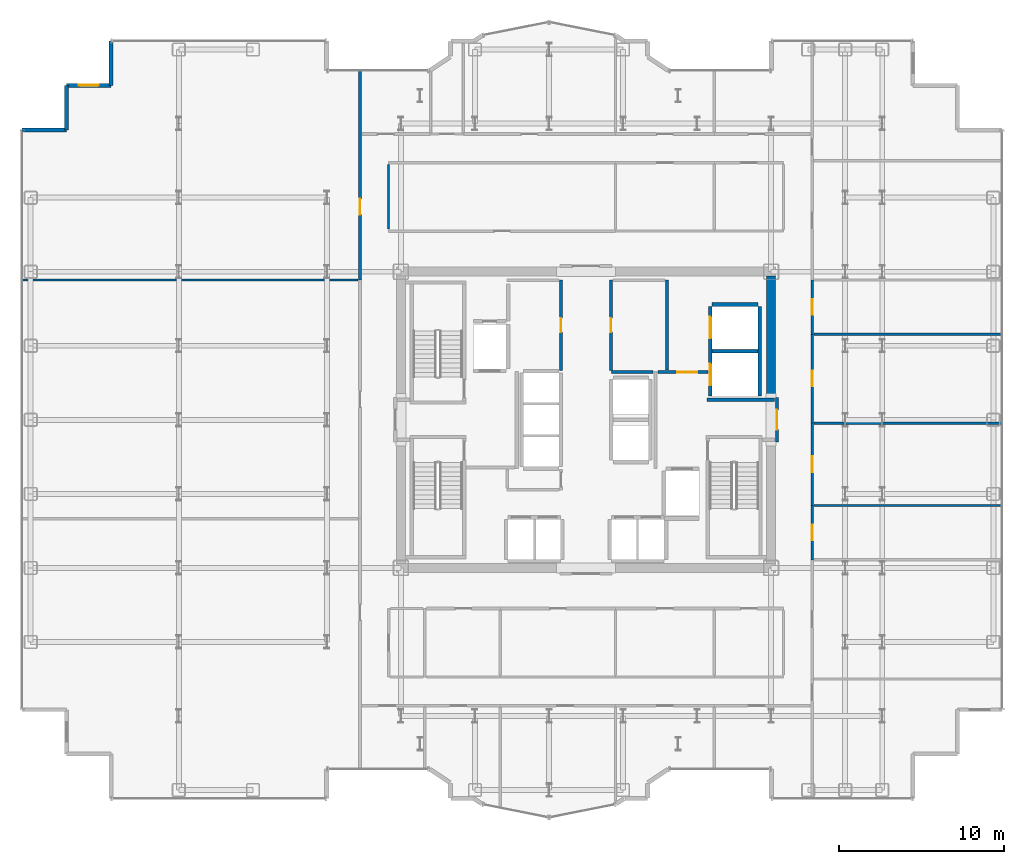
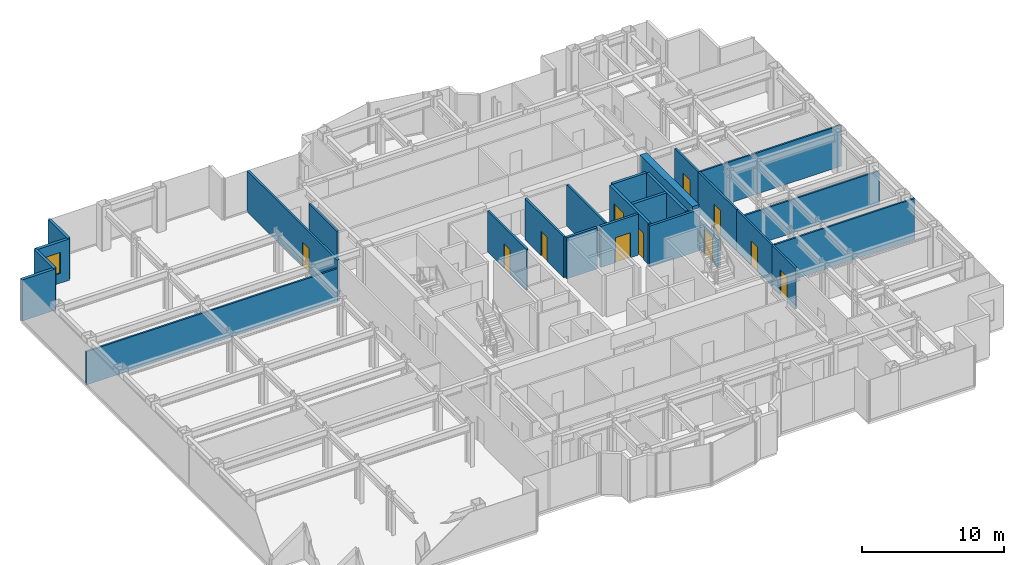
# One storey, part 20 of 23: 26 walls, 11 doors, 1 window, 12 openings.
"""IFC4 building model written with IfcOpenShell, lengths in metres."""

from ifc_helpers import new_model, si_unit, direction, frame, frame_2d, origin, place, context, subcontext, project, spatial, rectangle, extrude, source, transform, mapped, material, layer, layer_set, type_object, element, fill, save


model = new_model("IFC4")

# Units and contexts
model_context = context("Model", 3, precision=1e-05, world=origin(), true_north=direction((0.0, 1.0)))
body_context = subcontext(model_context, "Body", "Model", "MODEL_VIEW")
ifc_project = project(units=[si_unit("LENGTHUNIT", "METRE"), si_unit("AREAUNIT", "SQUARE_METRE"), si_unit("VOLUMEUNIT", "CUBIC_METRE"), si_unit("PLANEANGLEUNIT", "RADIAN"), si_unit("MASSUNIT", "GRAM", prefix="KILO")], contexts=[model_context])

# Site, building, storey
site_placement = place(None, origin())
site = spatial("IfcSite", under=ifc_project, at=site_placement, CompositionType="ELEMENT")
building_placement = place(site_placement, origin())
building = spatial("IfcBuilding", under=site, at=building_placement, Name="Nefas-Gora Pilgrimage Tower", CompositionType="ELEMENT")
storey_placement = place(building_placement, frame((0.0, 0.0, 175.39990234375)))
storey = spatial("IfcBuildingStorey", under=building, at=storey_placement, Name="L43", CompositionType="ELEMENT", Elevation=175.39990234375)

# Walls
ifc_material_1 = material(Name="Concrete C60/75", Category="concrete")
ifc_layer_1 = layer(ifc_material_1, 0.550048828125)
ifc_layer_set_1 = layer_set([ifc_layer_1], Name="Concrete C60/75")
wall_type_1 = type_object("IfcWallType", Name="SW-CORE-550", PredefinedType="SHEAR", material=ifc_layer_set_1)
shared_shape_1 = source(origin(), body_context, "Body", "SweptSolid", [
    extrude(rectangle(XDim=7.375, YDim=0.550048828125, at=frame_2d((3.6875, 0.0))), origin(), (0.0, 0.0, 1.0), 3.800048828125),
])
wall_1_placement = place(storey_placement, frame((11.25, 1.35009765625, 0.0), z_axis=(0.0, 0.0, 1.0), x_axis=(0.0, 1.0, 0.0)))
element("IfcWall", 1, at=wall_1_placement, inside=storey, type_object=wall_type_1, Name="L43 Core Shear Wall E-North", PredefinedType="SHEAR", context=body_context, shape_type="MappedRepresentation", body=[
    mapped(shared_shape_1, transform((0.0, 0.0, 0.0), x_axis=(1.0, 0.0, 0.0), y_axis=(0.0, 1.0, 0.0), z_axis=(0.0, 0.0, 1.0), scale=1.0)),
])
ifc_material_2 = material(Name="Precast concrete C45/55", Category="concrete")
ifc_layer_2 = layer(ifc_material_2, 0.239990234375)
ifc_layer_set_2 = layer_set([ifc_layer_2], Name="Precast concrete C45/55")
wall_type_2 = type_object("IfcWallType", Name="EW-SERR-240", PredefinedType="SHEAR", material=ifc_layer_set_2)
shared_shape_2 = source(origin(), body_context, "Body", "SweptSolid", [
    extrude(rectangle(XDim=2.699951171875, YDim=0.239990234375, at=frame_2d((1.35009765625, 0.0))), origin(), (0.0, 0.0, 1.0), 3.550048828125),
])
wall_2_placement = place(storey_placement, frame((-28.8701171875, 23.02001953125, 0.0), z_axis=(0.0, 0.0, 1.0), x_axis=(0.0, -1.0, 0.0)))
element("IfcWall", 2, at=wall_2_placement, inside=storey, type_object=wall_type_2, Name="L43 Serrated Corner Shear Pier Wall 20", PredefinedType="SHEAR", context=body_context, shape_type="MappedRepresentation", body=[
    mapped(shared_shape_2, transform((0.0, 0.0, 0.0), x_axis=(1.0, 0.0, 0.0), y_axis=(0.0, 1.0, 0.0), z_axis=(0.0, 0.0, 1.0), scale=1.0)),
])

# Wall, opening, window
wall_3_placement = place(storey_placement, frame((-28.8701171875, 20.320068359375, 0.0), z_axis=(0.0, 0.0, 1.0), x_axis=(-1.0, 0.0, 0.0)))
wall_3 = element("IfcWall", 3, at=wall_3_placement, inside=storey, type_object=wall_type_2, Name="L43 Serrated Corner Shear Pier Wall 21", PredefinedType="SHEAR", context=body_context, shape_type="MappedRepresentation", body=[
    mapped(shared_shape_2, transform((0.0, 0.0, 0.0), x_axis=(1.0, 0.0, 0.0), y_axis=(0.0, 1.0, 0.0), z_axis=(0.0, 0.0, 1.0), scale=1.0)),
])
opening_1_placement = place(wall_3_placement, frame((0.75, 0.0, 0.85009765625)))
opening_1 = element("IfcOpeningElement", 4, at=opening_1_placement, cuts=wall_3, Name="Opening W-V1", PredefinedType="OPENING", context=body_context, shape_type="SweptSolid", body=[
    extrude(rectangle(XDim=1.199951171875, YDim=1.800048828125, at=frame_2d((0.60009765625, 0.89990234375))), frame((0.0, 0.1298828125, 0.0), z_axis=(0.0, -1.0, 0.0), x_axis=(1.0, 0.0, 0.0)), (0.0, 0.0, 1.0), 0.260009765625),
])
ifc_material_3 = material(Name="Dark ceramic-fritted operable aluminium-glass window", Category="aluminium")
window_type = type_object("IfcWindowType", Name="WIN-VENT-1200x1800", PartitioningType="SINGLE_PANEL", PredefinedType="WINDOW", material=ifc_material_3)
shared_shape_3 = source(origin(), body_context, "Body", "SweptSolid", [
    extrude(rectangle(XDim=1.199951171875, YDim=1.800048828125, at=frame_2d((0.60009765625, 0.89990234375))), frame((0.0, 0.030029296875, 0.0), z_axis=(0.0, -1.0, 0.0), x_axis=(1.0, 0.0, 0.0)), (0.0, 0.0, 1.0), 0.06005859375),
])
window_placement = place(opening_1_placement, origin())
window = element("IfcWindow", 5, at=window_placement, inside=storey, type_object=window_type, Name="L43 Operable Parallel-Outswing Window 21", OverallHeight=1.800048828125, OverallWidth=1.199951171875, PartitioningType="SINGLE_PANEL", PredefinedType="WINDOW", context=body_context, shape_type="MappedRepresentation", body=[
    mapped(shared_shape_3, transform((0.0, 0.0, 0.0), x_axis=(1.0, 0.0, 0.0), y_axis=(0.0, 1.0, 0.0), z_axis=(0.0, 0.0, 1.0), scale=1.0)),
])
fill(opening_1, window)

# Walls
for number, where, z_axis, x_axis, name in (
    (6, (-31.570068359375, 20.320068359375, 0.0), (0.0, 0.0, 1.0), (0.0, -1.0, 0.0), "L43 Serrated Corner Shear Pier Wall 22"),
    (7, (-31.570068359375, 17.6201171875, 0.0), (0.0, 0.0, 1.0), (-1.0, 0.0, 0.0), "L43 Serrated Corner Shear Pier Wall 23"),
):
    element("IfcWall", number, at=place(storey_placement, frame(where, z_axis=z_axis, x_axis=x_axis)), inside=storey, type_object=wall_type_2, Name=name, PredefinedType="SHEAR", context=body_context, shape_type="MappedRepresentation", body=[
        mapped(shared_shape_2, transform((0.0, 0.0, 0.0), x_axis=(1.0, 0.0, 0.0), y_axis=(0.0, 1.0, 0.0), z_axis=(0.0, 0.0, 1.0), scale=1.0)),
    ])

# Wall, openings, doors
ifc_material_4 = material(Name="Concrete C40/50", Category="concrete")
ifc_layer_3 = layer(ifc_material_4, 0.219970703125)
ifc_layer_set_3 = layer_set([ifc_layer_3], Name="Concrete C40/50")
wall_type_3 = type_object("IfcWallType", Name="IW-SHAFT-220", PredefinedType="SOLIDWALL", material=ifc_layer_set_3)
shared_shape_4 = source(origin(), body_context, "Body", "SweptSolid", [
    extrude(rectangle(XDim=5.449951171875, YDim=0.219970703125, at=frame_2d((2.72509765625, 0.0))), origin(), (0.0, 0.0, 1.0), 3.53515625),
])
wall_4_placement = place(storey_placement, frame((7.5400390625, 6.89990234375, 0.0), z_axis=(0.0, 0.0, 1.0), x_axis=(0.0, -1.0, 0.0)))
wall_4 = element("IfcWall", 8, at=wall_4_placement, inside=storey, type_object=wall_type_3, Name="L43 Hoistway Wall SL-01-02-W", PredefinedType="SOLIDWALL", context=body_context, shape_type="MappedRepresentation", body=[
    mapped(shared_shape_4, transform((0.0, 0.0, 0.0), x_axis=(1.0, 0.0, 0.0), y_axis=(0.0, 1.0, 0.0), z_axis=(0.0, 0.0, 1.0), scale=1.0)),
])
opening_2_placement = place(wall_4_placement, frame((3.5, 0.0, 0.0)))
opening_2 = element("IfcOpeningElement", 9, at=opening_2_placement, cuts=wall_4, Name="Opening LD-SV", PredefinedType="OPENING", context=body_context, shape_type="SweptSolid", body=[
    extrude(rectangle(XDim=1.300048828125, YDim=2.300048828125, at=frame_2d((0.64990234375, 1.14990234375))), frame((0.0, 0.119873046875, 0.0), z_axis=(0.0, -1.0, 0.0), x_axis=(1.0, 0.0, 0.0)), (0.0, 0.0, 1.0), 0.239990234375),
])
opening_3_placement = place(wall_4_placement, frame((0.64990234375, 0.0, 0.0)))
opening_3 = element("IfcOpeningElement", 10, at=opening_3_placement, cuts=wall_4, Name="Opening LD-SV", PredefinedType="OPENING", context=body_context, shape_type="SweptSolid", body=[
    extrude(rectangle(XDim=1.300048828125, YDim=2.300048828125, at=frame_2d((0.64990234375, 1.14990234375))), frame((0.0, 0.119873046875, 0.0), z_axis=(0.0, -1.0, 0.0), x_axis=(1.0, 0.0, 0.0)), (0.0, 0.0, 1.0), 0.239990234375),
])
ifc_material_5 = material(Name="Heavy goods sliding lift landing door")
door_type_1 = type_object("IfcDoorType", Name="DR-LIFT-SERV-1300", OperationType="SLIDING_TO_RIGHT", PredefinedType="DOOR", material=ifc_material_5)
shared_shape_5 = source(origin(), body_context, "Body", "SweptSolid", [
    extrude(rectangle(XDim=1.300048828125, YDim=2.300048828125, at=frame_2d((0.64990234375, 1.14990234375))), frame((0.0, 0.02490234375, 0.0), z_axis=(0.0, -1.0, 0.0), x_axis=(1.0, 0.0, 0.0)), (0.0, 0.0, 1.0), 0.050048828125),
])
door_1_placement = place(opening_2_placement, origin())
door_1 = element("IfcDoor", 11, at=door_1_placement, inside=storey, type_object=door_type_1, Name="L43 Sliding Lift Landing Door SL-01", OperationType="SLIDING_TO_RIGHT", OverallHeight=2.300048828125, OverallWidth=1.300048828125, PredefinedType="DOOR", context=body_context, shape_type="MappedRepresentation", body=[
    mapped(shared_shape_5, transform((0.0, 0.0, 0.0), x_axis=(1.0, 0.0, 0.0), y_axis=(0.0, 1.0, 0.0), z_axis=(0.0, 0.0, 1.0), scale=1.0)),
])
fill(opening_2, door_1)
door_2_placement = place(opening_3_placement, origin())
door_2 = element("IfcDoor", 12, at=door_2_placement, inside=storey, type_object=door_type_1, Name="L43 Sliding Lift Landing Door SL-02", OperationType="SLIDING_TO_RIGHT", OverallHeight=2.300048828125, OverallWidth=1.300048828125, PredefinedType="DOOR", context=body_context, shape_type="MappedRepresentation", body=[
    mapped(shared_shape_5, transform((0.0, 0.0, 0.0), x_axis=(1.0, 0.0, 0.0), y_axis=(0.0, 1.0, 0.0), z_axis=(0.0, 0.0, 1.0), scale=1.0)),
])
fill(opening_3, door_2)

# Walls
wall_5_placement = place(storey_placement, frame((10.56005859375, 1.449951171875, 0.0), z_axis=(0.0, 0.0, 1.0), x_axis=(0.0, 1.0, 0.0)))
element("IfcWall", 13, at=wall_5_placement, inside=storey, type_object=wall_type_3, Name="L43 Hoistway Wall SL-01-02-E", PredefinedType="SOLIDWALL", context=body_context, shape_type="MappedRepresentation", body=[
    mapped(shared_shape_4, transform((0.0, 0.0, 0.0), x_axis=(1.0, 0.0, 0.0), y_axis=(0.0, 1.0, 0.0), z_axis=(0.0, 0.0, 1.0), scale=1.0)),
])
shared_shape_6 = source(origin(), body_context, "Body", "SweptSolid", [
    extrude(rectangle(XDim=2.780029296875, YDim=0.219970703125, at=frame_2d((1.39013671875, 0.0))), origin(), (0.0, 0.0, 1.0), 3.53515625),
])
for number, where, z_axis, x_axis, name in (
    (14, (7.659912109375, 4.175048828125, 0.0), (0.0, 0.0, 1.0), (1.0, 0.0, 0.0), "L43 Hoistway Wall SL-01-02-DIV"),
    (15, (10.43994140625, 7.010009765625, 0.0), (0.0, 0.0, 1.0), (-1.0, 0.0, 0.0), "L43 Hoistway Wall SL-02-N"),
):
    element("IfcWall", number, at=place(storey_placement, frame(where, z_axis=z_axis, x_axis=x_axis)), inside=storey, type_object=wall_type_3, Name=name, PredefinedType="SOLIDWALL", context=body_context, shape_type="MappedRepresentation", body=[
        mapped(shared_shape_6, transform((0.0, 0.0, 0.0), x_axis=(1.0, 0.0, 0.0), y_axis=(0.0, 1.0, 0.0), z_axis=(0.0, 0.0, 1.0), scale=1.0)),
    ])

# Wall, opening, door
ifc_material_6 = material(Name="Gypsum fire-rated shaftwall")
ifc_layer_4 = layer(ifc_material_6, 0.199951171875)
ifc_layer_set_4 = layer_set([ifc_layer_4], Name="Gypsum fire-rated shaftwall")
wall_type_4 = type_object("IfcWallType", Name="IW-FFLOB-200", PredefinedType="PARTITIONING", material=ifc_layer_set_4)
shared_shape_7 = source(origin(), body_context, "Body", "SweptSolid", [
    extrude(rectangle(XDim=2.7001953125, YDim=0.199951171875, at=frame_2d((1.35009765625, 0.0))), origin(), (0.0, 0.0, 1.0), 2.425048828125),
])
wall_6_placement = place(storey_placement, frame((11.60009765625, -1.35009765625, 0.0), z_axis=(0.0, 0.0, 1.0), x_axis=(0.0, 1.0, 0.0)))
wall_6 = element("IfcWall", 16, at=wall_6_placement, inside=storey, type_object=wall_type_4, Name="L43 FF Lobby East Portal Wall 9", PredefinedType="PARTITIONING", context=body_context, shape_type="MappedRepresentation", body=[
    mapped(shared_shape_7, transform((0.0, 0.0, 0.0), x_axis=(1.0, 0.0, 0.0), y_axis=(0.0, 1.0, 0.0), z_axis=(0.0, 0.0, 1.0), scale=1.0)),
])
opening_4_placement = place(wall_6_placement, frame((0.75, 0.0, 0.0)))
opening_4 = element("IfcOpeningElement", 17, at=opening_4_placement, cuts=wall_6, Name="Opening ID-FF1", PredefinedType="OPENING", context=body_context, shape_type="SweptSolid", body=[
    extrude(rectangle(XDim=1.199951171875, YDim=2.14990234375, at=frame_2d((0.60009765625, 1.074951171875))), frame((0.0, 0.10986328125, 0.0), z_axis=(0.0, -1.0, 0.0), x_axis=(1.0, 0.0, 0.0)), (0.0, 0.0, 1.0), 0.219970703125),
])
ifc_material_7 = material(Name="Smoke-sealed steel firefighting lobby door", Category="steel")
door_type_2 = type_object("IfcDoorType", Name="DR-INT-FFLOB-1200", OperationType="NOTDEFINED", PredefinedType="DOOR", material=ifc_material_7)
shared_shape_8 = source(origin(), body_context, "Body", "SweptSolid", [
    extrude(rectangle(XDim=1.199951171875, YDim=2.14990234375, at=frame_2d((0.60009765625, 1.074951171875))), frame((0.0, 0.02490234375, 0.0), z_axis=(0.0, -1.0, 0.0), x_axis=(1.0, 0.0, 0.0)), (0.0, 0.0, 1.0), 0.050048828125),
])
door_3_placement = place(opening_4_placement, origin())
door_3 = element("IfcDoor", 18, at=door_3_placement, inside=storey, type_object=door_type_2, Name="L43 FF Lobby East Portal Door 3", OperationType="SINGLE_SWING_RIGHT", OverallHeight=2.14990234375, OverallWidth=1.199951171875, PredefinedType="DOOR", context=body_context, shape_type="MappedRepresentation", body=[
    mapped(shared_shape_8, transform((0.0, 0.0, 0.0), x_axis=(1.0, 0.0, 0.0), y_axis=(0.0, 1.0, 0.0), z_axis=(0.0, 0.0, 1.0), scale=1.0)),
])
fill(opening_4, door_3)

shared_shape_9 = source(origin(), body_context, "Body", "SweptSolid", [
    extrude(rectangle(XDim=3.039794921875, YDim=0.199951171875, at=frame_2d((1.52001953125, 0.0))), origin(), (0.0, 0.0, 1.0), 3.53515625),
])
wall_7_placement = place(storey_placement, frame((4.360107421875, 2.89990234375, 0.0), z_axis=(0.0, 0.0, 1.0), x_axis=(1.0, 0.0, 0.0)))
wall_7 = element("IfcWall", 19, at=wall_7_placement, inside=storey, type_object=wall_type_4, Name="L43 FF Lobby East North Wall Wall 12", PredefinedType="PARTITIONING", context=body_context, shape_type="MappedRepresentation", body=[
    mapped(shared_shape_9, transform((0.0, 0.0, 0.0), x_axis=(1.0, 0.0, 0.0), y_axis=(0.0, 1.0, 0.0), z_axis=(0.0, 0.0, 1.0), scale=1.0)),
])
opening_5_placement = place(wall_7_placement, frame((1.18994140625, 0.0, 0.0)))
opening_5 = element("IfcOpeningElement", 20, at=opening_5_placement, cuts=wall_7, Name="Opening ID-PL1", PredefinedType="OPENING", context=body_context, shape_type="SweptSolid", body=[
    extrude(rectangle(XDim=1.199951171875, YDim=2.14990234375, at=frame_2d((0.60009765625, 1.074951171875))), frame((0.0, 0.10986328125, 0.0), z_axis=(0.0, -1.0, 0.0), x_axis=(1.0, 0.0, 0.0)), (0.0, 0.0, 1.0), 0.219970703125),
])
ifc_material_8 = material(Name="Heavy-duty steel plant room fire door", Category="steel")
door_type_3 = type_object("IfcDoorType", Name="DR-INT-PLANT-1200", OperationType="NOTDEFINED", PredefinedType="DOOR", material=ifc_material_8)
door_4_placement = place(opening_5_placement, origin())
door_4 = element("IfcDoor", 21, at=door_4_placement, inside=storey, type_object=door_type_3, Name="L43 Service Lift Lobby Door Door 4", OperationType="SINGLE_SWING_LEFT", OverallHeight=2.14990234375, OverallWidth=1.199951171875, PredefinedType="DOOR", context=body_context, shape_type="MappedRepresentation", body=[
    mapped(shared_shape_8, transform((0.0, 0.0, 0.0), x_axis=(1.0, 0.0, 0.0), y_axis=(0.0, 1.0, 0.0), z_axis=(0.0, 0.0, 1.0), scale=1.0)),
])
fill(opening_5, door_4)

# Wall
shared_shape_10 = source(origin(), body_context, "Body", "SweptSolid", [
    extrude(rectangle(XDim=4.10986328125, YDim=0.199951171875, at=frame_2d((2.054931640625, 0.0))), origin(), (0.0, 0.0, 1.0), 3.53515625),
])
wall_8_placement = place(storey_placement, frame((7.35009765625, 1.219970703125, 0.0), z_axis=(0.0, 0.0, 1.0), x_axis=(1.0, 0.0, 0.0)))
element("IfcWall", 22, at=wall_8_placement, inside=storey, type_object=wall_type_4, Name="L43 FF Lobby East Throat N Wall 13", PredefinedType="PARTITIONING", context=body_context, shape_type="MappedRepresentation", body=[
    mapped(shared_shape_10, transform((0.0, 0.0, 0.0), x_axis=(1.0, 0.0, 0.0), y_axis=(0.0, 1.0, 0.0), z_axis=(0.0, 0.0, 1.0), scale=1.0)),
])

# Wall, opening, door
ifc_material_9 = material(Name="Gypsum acoustic stud partition")
ifc_layer_5 = layer(ifc_material_9, 0.159912109375)
ifc_layer_set_5 = layer_set([ifc_layer_5], Name="Gypsum acoustic stud partition")
wall_type_5 = type_object("IfcWallType", Name="IW-CORR-160", PredefinedType="PARTITIONING", material=ifc_layer_set_5)
shared_shape_11 = source(origin(), body_context, "Body", "SweptSolid", [
    extrude(rectangle(XDim=12.75244140625, YDim=0.159912109375, at=frame_2d((6.376220703125, 0.0))), origin(), (0.0, 0.0, 1.0), 3.53515625),
])
wall_9_placement = place(storey_placement, frame((-13.739990234375, 8.487548828125, 0.0), z_axis=(0.0, 0.0, 1.0), x_axis=(0.0, 1.0, 0.0)))
wall_9 = element("IfcWall", 23, at=wall_9_placement, inside=storey, type_object=wall_type_5, Name="L43 Pilgrim Tea and Beverage Pantry Partition Wall 30", PredefinedType="PARTITIONING", context=body_context, shape_type="MappedRepresentation", body=[
    mapped(shared_shape_11, transform((0.0, 0.0, 0.0), x_axis=(1.0, 0.0, 0.0), y_axis=(0.0, 1.0, 0.0), z_axis=(0.0, 0.0, 1.0), scale=1.0)),
])
opening_6_placement = place(wall_9_placement, frame((3.986328125, 0.0, 0.0)))
opening_6 = element("IfcOpeningElement", 24, at=opening_6_placement, cuts=wall_9, Name="Opening ID-GR1", PredefinedType="OPENING", context=body_context, shape_type="SweptSolid", body=[
    extrude(rectangle(XDim=0.949951171875, YDim=2.10009765625, at=frame_2d((0.47509765625, 1.050048828125))), frame((0.0, 0.08984375, 0.0), z_axis=(0.0, -1.0, 0.0), x_axis=(1.0, 0.0, 0.0)), (0.0, 0.0, 1.0), 0.179931640625),
])
ifc_material_10 = material(Name="Solid core oak fire-rated guest entrance door")
door_type_4 = type_object("IfcDoorType", Name="DR-INT-GUEST-950", OperationType="NOTDEFINED", PredefinedType="DOOR", material=ifc_material_10)
shared_shape_12 = source(origin(), body_context, "Body", "SweptSolid", [
    extrude(rectangle(XDim=0.949951171875, YDim=2.10009765625, at=frame_2d((0.47509765625, 1.050048828125))), frame((0.0, 0.02490234375, 0.0), z_axis=(0.0, -1.0, 0.0), x_axis=(1.0, 0.0, 0.0)), (0.0, 0.0, 1.0), 0.050048828125),
])
door_5_placement = place(opening_6_placement, origin())
door_5 = element("IfcDoor", 25, at=door_5_placement, inside=storey, type_object=door_type_4, Name="L43 Pilgrim Tea and Beverage Pantry Door 12", OperationType="SINGLE_SWING_LEFT", OverallHeight=2.10009765625, OverallWidth=0.949951171875, PredefinedType="DOOR", context=body_context, shape_type="MappedRepresentation", body=[
    mapped(shared_shape_12, transform((0.0, 0.0, 0.0), x_axis=(1.0, 0.0, 0.0), y_axis=(0.0, 1.0, 0.0), z_axis=(0.0, 0.0, 1.0), scale=1.0)),
])
fill(opening_6, door_5)

shared_shape_13 = source(origin(), body_context, "Body", "SweptSolid", [
    extrude(rectangle(XDim=3.309814453125, YDim=0.159912109375, at=frame_2d((1.65478515625, 0.0))), origin(), (0.0, 0.0, 1.0), 3.53515625),
])
wall_10_placement = place(storey_placement, frame((13.739990234375, -8.5048828125, 0.0), z_axis=(0.0, 0.0, 1.0), x_axis=(0.0, 1.0, 0.0)))
wall_10 = element("IfcWall", 26, at=wall_10_placement, inside=storey, type_object=wall_type_5, Name="L43 Pastoral Chaplains Counselling Office Partition Wall 37", PredefinedType="PARTITIONING", context=body_context, shape_type="MappedRepresentation", body=[
    mapped(shared_shape_13, transform((0.0, 0.0, 0.0), x_axis=(1.0, 0.0, 0.0), y_axis=(0.0, 1.0, 0.0), z_axis=(0.0, 0.0, 1.0), scale=1.0)),
])
opening_7_placement = place(wall_10_placement, frame((1.179931640625, 0.0, 0.0)))
opening_7 = element("IfcOpeningElement", 27, at=opening_7_placement, cuts=wall_10, Name="Opening ID-GR1", PredefinedType="OPENING", context=body_context, shape_type="SweptSolid", body=[
    extrude(rectangle(XDim=0.949951171875, YDim=2.10009765625, at=frame_2d((0.47509765625, 1.050048828125))), frame((0.0, 0.08984375, 0.0), z_axis=(0.0, -1.0, 0.0), x_axis=(1.0, 0.0, 0.0)), (0.0, 0.0, 1.0), 0.179931640625),
])
door_6_placement = place(opening_7_placement, origin())
door_6 = element("IfcDoor", 28, at=door_6_placement, inside=storey, type_object=door_type_4, Name="L43 Pastoral Chaplains Counselling Office Door 16", OperationType="SINGLE_SWING_LEFT", OverallHeight=2.10009765625, OverallWidth=0.949951171875, PredefinedType="DOOR", context=body_context, shape_type="MappedRepresentation", body=[
    mapped(shared_shape_12, transform((0.0, 0.0, 0.0), x_axis=(1.0, 0.0, 0.0), y_axis=(0.0, 1.0, 0.0), z_axis=(0.0, 0.0, 1.0), scale=1.0)),
])
fill(opening_7, door_6)

wall_11_placement = place(storey_placement, frame((13.739990234375, 5.195068359375, 0.0), z_axis=(0.0, 0.0, 1.0), x_axis=(0.0, 1.0, 0.0)))
wall_11 = element("IfcWall", 29, at=wall_11_placement, inside=storey, type_object=wall_type_5, Name="L43 Scripture Reading Study Partition Wall 43", PredefinedType="PARTITIONING", context=body_context, shape_type="MappedRepresentation", body=[
    mapped(shared_shape_13, transform((0.0, 0.0, 0.0), x_axis=(1.0, 0.0, 0.0), y_axis=(0.0, 1.0, 0.0), z_axis=(0.0, 0.0, 1.0), scale=1.0)),
])
opening_8_placement = place(wall_11_placement, frame((1.179931640625, 0.0, 0.0)))
opening_8 = element("IfcOpeningElement", 30, at=opening_8_placement, cuts=wall_11, Name="Opening ID-GR1", PredefinedType="OPENING", context=body_context, shape_type="SweptSolid", body=[
    extrude(rectangle(XDim=0.949951171875, YDim=2.10009765625, at=frame_2d((0.47509765625, 1.050048828125))), frame((0.0, 0.08984375, 0.0), z_axis=(0.0, -1.0, 0.0), x_axis=(1.0, 0.0, 0.0)), (0.0, 0.0, 1.0), 0.179931640625),
])
door_7_placement = place(opening_8_placement, origin())
door_7 = element("IfcDoor", 31, at=door_7_placement, inside=storey, type_object=door_type_4, Name="L43 Scripture Reading Study Door 19", OperationType="SINGLE_SWING_RIGHT", OverallHeight=2.10009765625, OverallWidth=0.949951171875, PredefinedType="DOOR", context=body_context, shape_type="MappedRepresentation", body=[
    mapped(shared_shape_12, transform((0.0, 0.0, 0.0), x_axis=(1.0, 0.0, 0.0), y_axis=(0.0, 1.0, 0.0), z_axis=(0.0, 0.0, 1.0), scale=1.0)),
])
fill(opening_8, door_7)

# Walls
ifc_material_11 = material(Name="Gypsum twin-stud partition")
ifc_layer_6 = layer(ifc_material_11, 0.139892578125)
ifc_layer_set_6 = layer_set([ifc_layer_6], Name="Gypsum twin-stud partition")
wall_type_6 = type_object("IfcWallType", Name="IW-UNIT-140", PredefinedType="PARTITIONING", material=ifc_layer_set_6)
shared_shape_14 = source(origin(), body_context, "Body", "SweptSolid", [
    extrude(rectangle(XDim=20.429931640625, YDim=0.139892578125, at=frame_2d((10.21484375, 0.0))), origin(), (0.0, 0.0, 1.0), 2.875),
])
wall_12_placement = place(storey_placement, frame((-34.2900390625, 8.49755859375, 0.0), z_axis=(0.0, 0.0, 1.0), x_axis=(1.0, 0.0, 0.0)))
element("IfcWall", 32, at=wall_12_placement, inside=storey, type_object=wall_type_6, Name="L43 Pilgrim Tea and Beverage Pantry Partition Wall 31", PredefinedType="PARTITIONING", context=body_context, shape_type="MappedRepresentation", body=[
    mapped(shared_shape_14, transform((0.0, 0.0, 0.0), x_axis=(1.0, 0.0, 0.0), y_axis=(0.0, 1.0, 0.0), z_axis=(0.0, 0.0, 1.0), scale=1.0)),
])
shared_shape_15 = source(origin(), body_context, "Body", "SweptSolid", [
    extrude(rectangle(XDim=11.429931640625, YDim=0.139892578125, at=frame_2d((5.71484375, 0.0))), origin(), (0.0, 0.0, 1.0), 2.875),
])
wall_13_placement = place(storey_placement, frame((13.860107421875, -0.205078125, 0.0), z_axis=(0.0, 0.0, 1.0), x_axis=(1.0, 0.0, 0.0)))
element("IfcWall", 33, at=wall_13_placement, inside=storey, type_object=wall_type_6, Name="L43 Pilgrim Contemplative Lounge Partition Wall 40", PredefinedType="PARTITIONING", context=body_context, shape_type="MappedRepresentation", body=[
    mapped(shared_shape_15, transform((0.0, 0.0, 0.0), x_axis=(1.0, 0.0, 0.0), y_axis=(0.0, 1.0, 0.0), z_axis=(0.0, 0.0, 1.0), scale=1.0)),
])
shared_shape_16 = source(origin(), body_context, "Body", "SweptSolid", [
    extrude(rectangle(XDim=2.52001953125, YDim=0.199951171875, at=frame_2d((1.260009765625, 0.0))), origin(), (0.0, 0.0, 1.0), 3.53515625),
])
wall_14_placement = place(storey_placement, frame((1.56005859375, 2.89990234375, 0.0), z_axis=(0.0, 0.0, 1.0), x_axis=(1.0, 0.0, 0.0)))
element("IfcWall", 34, at=wall_14_placement, inside=storey, type_object=wall_type_4, Name="L43 FF Lobby East North Wall Wall 11", PredefinedType="PARTITIONING", context=body_context, shape_type="MappedRepresentation", body=[
    mapped(shared_shape_16, transform((0.0, 0.0, 0.0), x_axis=(1.0, 0.0, 0.0), y_axis=(0.0, 1.0, 0.0), z_axis=(0.0, 0.0, 1.0), scale=1.0)),
])
shared_shape_17 = source(origin(), body_context, "Body", "SweptSolid", [
    extrude(rectangle(XDim=5.449951171875, YDim=0.159912109375, at=frame_2d((2.72509765625, 0.0))), origin(), (0.0, 0.0, 1.0), 3.53515625),
])
wall_15_placement = place(storey_placement, frame((4.919921875, 3.0400390625, 0.0), z_axis=(0.0, 0.0, 1.0), x_axis=(0.0, 1.0, 0.0)))
element("IfcWall", 35, at=wall_15_placement, inside=storey, type_object=wall_type_5, Name="L43 Service Lift Lobby West Wall Wall 17", PredefinedType="PARTITIONING", context=body_context, shape_type="MappedRepresentation", body=[
    mapped(shared_shape_17, transform((0.0, 0.0, 0.0), x_axis=(1.0, 0.0, 0.0), y_axis=(0.0, 1.0, 0.0), z_axis=(0.0, 0.0, 1.0), scale=1.0)),
])
shared_shape_18 = source(origin(), body_context, "Body", "SweptSolid", [
    extrude(rectangle(XDim=11.429931640625, YDim=0.139892578125, at=frame_2d((5.71484375, 0.0))), origin(), (0.0, 0.0, 1.0), 3.53515625),
])
for number, where, z_axis, x_axis, name in (
    (36, (13.860107421875, -5.205078125, 0.0), (0.0, 0.0, 1.0), (1.0, 0.0, 0.0), "L43 Pastoral Chaplains Counselling Office Partition Wall 38"),
    (37, (13.860107421875, 5.195068359375, 0.0), (0.0, 0.0, 1.0), (1.0, 0.0, 0.0), "L43 Pilgrim Contemplative Lounge Partition Wall 42"),
):
    element("IfcWall", number, at=place(storey_placement, frame(where, z_axis=z_axis, x_axis=x_axis)), inside=storey, type_object=wall_type_6, Name=name, PredefinedType="PARTITIONING", context=body_context, shape_type="MappedRepresentation", body=[
        mapped(shared_shape_18, transform((0.0, 0.0, 0.0), x_axis=(1.0, 0.0, 0.0), y_axis=(0.0, 1.0, 0.0), z_axis=(0.0, 0.0, 1.0), scale=1.0)),
    ])
shared_shape_19 = source(origin(), body_context, "Body", "SweptSolid", [
    extrude(rectangle(XDim=3.929931640625, YDim=0.139892578125, at=frame_2d((1.96484375, 0.0))), origin(), (0.0, 0.0, 1.0), 3.53515625),
])
wall_16_placement = place(storey_placement, frame((-12.0, 11.590087890625, 0.0), z_axis=(0.0, 0.0, 1.0), x_axis=(0.0, 1.0, 0.0)))
element("IfcWall", 38, at=wall_16_placement, inside=storey, type_object=wall_type_6, Name="L43 Pilgrim Contemplative Lounge Partition Wall 50", PredefinedType="PARTITIONING", context=body_context, shape_type="MappedRepresentation", body=[
    mapped(shared_shape_19, transform((0.0, 0.0, 0.0), x_axis=(1.0, 0.0, 0.0), y_axis=(0.0, 1.0, 0.0), z_axis=(0.0, 0.0, 1.0), scale=1.0)),
])

# Wall, opening, door
shared_shape_20 = source(origin(), body_context, "Body", "SweptSolid", [
    extrude(rectangle(XDim=5.47998046875, YDim=0.159912109375, at=frame_2d((2.739990234375, 0.0))), origin(), (0.0, 0.0, 1.0), 3.53515625),
])
wall_17_placement = place(storey_placement, frame((-1.52001953125, 3.010009765625, 0.0), z_axis=(0.0, 0.0, 1.0), x_axis=(0.0, 1.0, 0.0)))
wall_17 = element("IfcWall", 39, at=wall_17_placement, inside=storey, type_object=wall_type_5, Name="L43 Housekeeping and Linen Store Wall 18", PredefinedType="PARTITIONING", context=body_context, shape_type="MappedRepresentation", body=[
    mapped(shared_shape_20, transform((0.0, 0.0, 0.0), x_axis=(1.0, 0.0, 0.0), y_axis=(0.0, 1.0, 0.0), z_axis=(0.0, 0.0, 1.0), scale=1.0)),
])
opening_9_placement = place(wall_17_placement, frame((2.31494140625, 0.0, 0.0)))
opening_9 = element("IfcOpeningElement", 40, at=opening_9_placement, cuts=wall_17, Name="Opening ID-BT1", PredefinedType="OPENING", context=body_context, shape_type="SweptSolid", body=[
    extrude(rectangle(XDim=0.85009765625, YDim=2.10009765625, at=frame_2d((0.425048828125, 1.050048828125))), frame((0.0, 0.08984375, 0.0), z_axis=(0.0, -1.0, 0.0), x_axis=(1.0, 0.0, 0.0)), (0.0, 0.0, 1.0), 0.179931640625),
])
ifc_material_12 = material(Name="Moisture-resistant fire-rated timber door", Category="wood")
door_type_5 = type_object("IfcDoorType", Name="DR-INT-BATH-850", OperationType="NOTDEFINED", PredefinedType="DOOR", material=ifc_material_12)
shared_shape_21 = source(origin(), body_context, "Body", "SweptSolid", [
    extrude(rectangle(XDim=0.85009765625, YDim=2.10009765625, at=frame_2d((0.425048828125, 1.050048828125))), frame((0.0, 0.02490234375, 0.0), z_axis=(0.0, -1.0, 0.0), x_axis=(1.0, 0.0, 0.0)), (0.0, 0.0, 1.0), 0.050048828125),
])
door_8_placement = place(opening_9_placement, origin())
door_8 = element("IfcDoor", 41, at=door_8_placement, inside=storey, type_object=door_type_5, Name="L43 Housekeeping and Linen Store Door 7", OperationType="SINGLE_SWING_RIGHT", OverallHeight=2.10009765625, OverallWidth=0.85009765625, PredefinedType="DOOR", context=body_context, shape_type="MappedRepresentation", body=[
    mapped(shared_shape_21, transform((0.0, 0.0, 0.0), x_axis=(1.0, 0.0, 0.0), y_axis=(0.0, 1.0, 0.0), z_axis=(0.0, 0.0, 1.0), scale=1.0)),
])
fill(opening_9, door_8)

wall_18_placement = place(storey_placement, frame((1.52001953125, 3.010009765625, 0.0), z_axis=(0.0, 0.0, 1.0), x_axis=(0.0, 1.0, 0.0)))
wall_18 = element("IfcWall", 42, at=wall_18_placement, inside=storey, type_object=wall_type_5, Name="L43 Freed Bank-1 Amenity Supply Store Wall 23", PredefinedType="PARTITIONING", context=body_context, shape_type="MappedRepresentation", body=[
    mapped(shared_shape_20, transform((0.0, 0.0, 0.0), x_axis=(1.0, 0.0, 0.0), y_axis=(0.0, 1.0, 0.0), z_axis=(0.0, 0.0, 1.0), scale=1.0)),
])
opening_10_placement = place(wall_18_placement, frame((2.31494140625, 0.0, 0.0)))
opening_10 = element("IfcOpeningElement", 43, at=opening_10_placement, cuts=wall_18, Name="Opening ID-BT1", PredefinedType="OPENING", context=body_context, shape_type="SweptSolid", body=[
    extrude(rectangle(XDim=0.85009765625, YDim=2.10009765625, at=frame_2d((0.425048828125, 1.050048828125))), frame((0.0, 0.08984375, 0.0), z_axis=(0.0, -1.0, 0.0), x_axis=(1.0, 0.0, 0.0)), (0.0, 0.0, 1.0), 0.179931640625),
])
door_9_placement = place(opening_10_placement, origin())
door_9 = element("IfcDoor", 44, at=door_9_placement, inside=storey, type_object=door_type_5, Name="L43 Freed Bank-1 Amenity Supply Store Door 9", OperationType="SINGLE_SWING_RIGHT", OverallHeight=2.10009765625, OverallWidth=0.85009765625, PredefinedType="DOOR", context=body_context, shape_type="MappedRepresentation", body=[
    mapped(shared_shape_21, transform((0.0, 0.0, 0.0), x_axis=(1.0, 0.0, 0.0), y_axis=(0.0, 1.0, 0.0), z_axis=(0.0, 0.0, 1.0), scale=1.0)),
])
fill(opening_10, door_9)

shared_shape_22 = source(origin(), body_context, "Body", "SweptSolid", [
    extrude(rectangle(XDim=5.010009765625, YDim=0.159912109375, at=frame_2d((2.5048828125, 0.0))), origin(), (0.0, 0.0, 1.0), 3.53515625),
])
wall_19_placement = place(storey_placement, frame((13.739990234375, -5.205078125, 0.0), z_axis=(0.0, 0.0, 1.0), x_axis=(0.0, 1.0, 0.0)))
wall_19 = element("IfcWall", 45, at=wall_19_placement, inside=storey, type_object=wall_type_5, Name="L43 Pilgrim Contemplative Lounge Partition Wall 39", PredefinedType="PARTITIONING", context=body_context, shape_type="MappedRepresentation", body=[
    mapped(shared_shape_22, transform((0.0, 0.0, 0.0), x_axis=(1.0, 0.0, 0.0), y_axis=(0.0, 1.0, 0.0), z_axis=(0.0, 0.0, 1.0), scale=1.0)),
])
opening_11_placement = place(wall_19_placement, frame((2.030029296875, 0.0, 0.0)))
opening_11 = element("IfcOpeningElement", 46, at=opening_11_placement, cuts=wall_19, Name="Opening ID-GR1", PredefinedType="OPENING", context=body_context, shape_type="SweptSolid", body=[
    extrude(rectangle(XDim=0.949951171875, YDim=2.10009765625, at=frame_2d((0.47509765625, 1.050048828125))), frame((0.0, 0.08984375, 0.0), z_axis=(0.0, -1.0, 0.0), x_axis=(1.0, 0.0, 0.0)), (0.0, 0.0, 1.0), 0.179931640625),
])
door_10_placement = place(opening_11_placement, origin())
door_10 = element("IfcDoor", 47, at=door_10_placement, inside=storey, type_object=door_type_4, Name="L43 Pilgrim Contemplative Lounge Door 17", OperationType="SINGLE_SWING_RIGHT", OverallHeight=2.10009765625, OverallWidth=0.949951171875, PredefinedType="DOOR", context=body_context, shape_type="MappedRepresentation", body=[
    mapped(shared_shape_12, transform((0.0, 0.0, 0.0), x_axis=(1.0, 0.0, 0.0), y_axis=(0.0, 1.0, 0.0), z_axis=(0.0, 0.0, 1.0), scale=1.0)),
])
fill(opening_11, door_10)

shared_shape_23 = source(origin(), body_context, "Body", "SweptSolid", [
    extrude(rectangle(XDim=5.41015625, YDim=0.159912109375, at=frame_2d((2.705078125, 0.0))), origin(), (0.0, 0.0, 1.0), 3.53515625),
])
wall_20_placement = place(storey_placement, frame((13.739990234375, -0.205078125, 0.0), z_axis=(0.0, 0.0, 1.0), x_axis=(0.0, 1.0, 0.0)))
wall_20 = element("IfcWall", 48, at=wall_20_placement, inside=storey, type_object=wall_type_5, Name="L43 Pilgrim Contemplative Lounge Partition Wall 41", PredefinedType="PARTITIONING", context=body_context, shape_type="MappedRepresentation", body=[
    mapped(shared_shape_23, transform((0.0, 0.0, 0.0), x_axis=(1.0, 0.0, 0.0), y_axis=(0.0, 1.0, 0.0), z_axis=(0.0, 0.0, 1.0), scale=1.0)),
])
opening_12_placement = place(wall_20_placement, frame((2.22998046875, 0.0, 0.0)))
opening_12 = element("IfcOpeningElement", 49, at=opening_12_placement, cuts=wall_20, Name="Opening ID-GR1", PredefinedType="OPENING", context=body_context, shape_type="SweptSolid", body=[
    extrude(rectangle(XDim=0.949951171875, YDim=2.10009765625, at=frame_2d((0.47509765625, 1.050048828125))), frame((0.0, 0.08984375, 0.0), z_axis=(0.0, -1.0, 0.0), x_axis=(1.0, 0.0, 0.0)), (0.0, 0.0, 1.0), 0.179931640625),
])
door_11_placement = place(opening_12_placement, origin())
door_11 = element("IfcDoor", 50, at=door_11_placement, inside=storey, type_object=door_type_4, Name="L43 Pilgrim Contemplative Lounge Door 18", OperationType="SINGLE_SWING_LEFT", OverallHeight=2.10009765625, OverallWidth=0.949951171875, PredefinedType="DOOR", context=body_context, shape_type="MappedRepresentation", body=[
    mapped(shared_shape_12, transform((0.0, 0.0, 0.0), x_axis=(1.0, 0.0, 0.0), y_axis=(0.0, 1.0, 0.0), z_axis=(0.0, 0.0, 1.0), scale=1.0)),
])
fill(opening_12, door_11)

save(model, "model.ifc")
